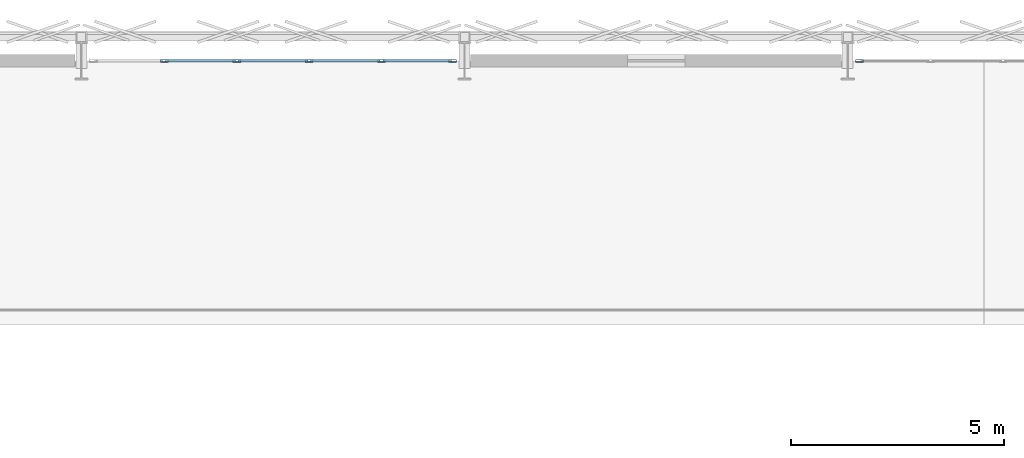
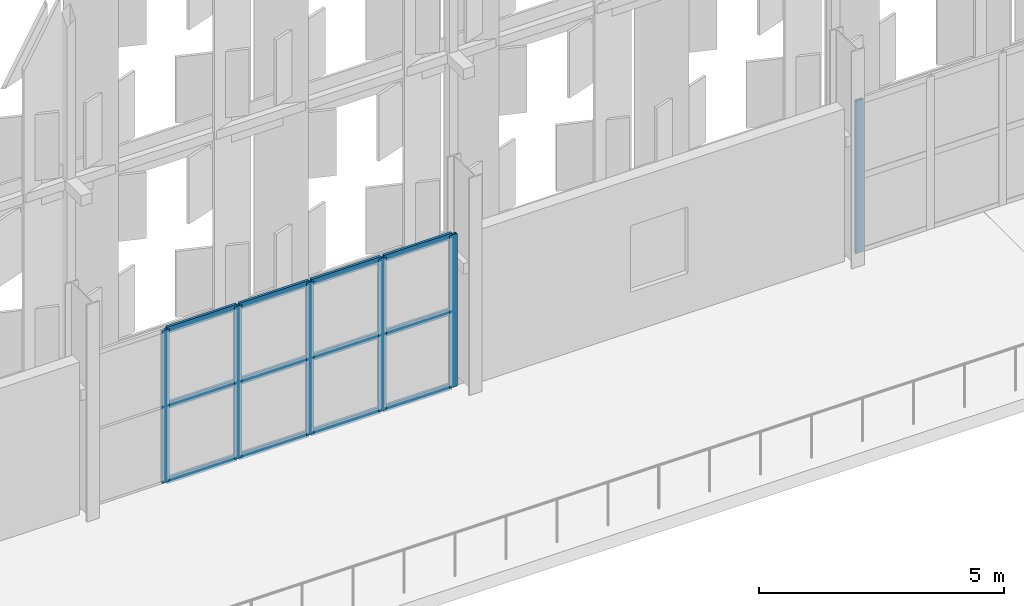
# One storey, part 84 of 210: 18 members, 2 elements without a shape of their own.
"""IFC4 building model written with IfcOpenShell, lengths in metres."""

from ifc_helpers import new_model, si_unit, direction, frame, origin, origin_2d, place, context, subcontext, project, spatial, hollow_rectangle, extrude, material, material_profile, profile_set, type_object, element, aggregate, save


model = new_model("IFC4")

# Units and contexts
model_context = context("Model", 3, precision=1e-05, world=origin(), true_north=direction((0.0, 1.0)))
body_context = subcontext(model_context, "Body", "Model", "MODEL_VIEW")
ifc_project = project(units=[si_unit("LENGTHUNIT", "METRE"), si_unit("AREAUNIT", "SQUARE_METRE"), si_unit("VOLUMEUNIT", "CUBIC_METRE"), si_unit("PLANEANGLEUNIT", "RADIAN"), si_unit("MASSUNIT", "GRAM", prefix="KILO")], contexts=[model_context])

# Site, building, storey
site_placement = place(None, origin())
site = spatial("IfcSite", under=ifc_project, at=site_placement, CompositionType="ELEMENT")
building_placement = place(site_placement, origin())
building = spatial("IfcBuilding", under=site, at=building_placement, Name="Kaldris Quays Convention Centre", CompositionType="ELEMENT")
storey_placement = place(building_placement, frame((0.0, 0.0, 6.0)))
storey = spatial("IfcBuildingStorey", under=building, at=storey_placement, Name="L01", CompositionType="ELEMENT", Elevation=6.0)

# Curtain wall, members
ifc_material_1 = material(Name="Anodized aluminium AW-6060 and triple glazing", Category="aluminium")
curtain_wall_type = type_object("IfcCurtainWallType", Name="UNITISED CURTAIN WALL CW05", PredefinedType="NOTDEFINED", material=ifc_material_1)
curtain_wall_1_placement = place(storey_placement, origin())
curtain_wall_1 = element("IfcCurtainWall", 1, at=curtain_wall_1_placement, inside=storey, type_object=curtain_wall_type, Name="L01 Unitised Curtain Wall CW05 8", PredefinedType="NOTDEFINED")
ifc_material_2 = material(Name="Anodized aluminium AW-6060", Category="aluminium")
ifc_material_profile_1 = material_profile(ifc_material_2, hollow_rectangle(XDim=0.06005859375, YDim=0.179931640625, WallThickness=0.0048828125, at=origin_2d()), Name="RHS 180x60x5")
ifc_profile_set_1 = profile_set([ifc_material_profile_1], Name="Anodized aluminium AW-6060")
member_type_1 = type_object("IfcMemberType", Name="CURTAIN MULLION CWM2", PredefinedType="MULLION", material=ifc_profile_set_1)
member_1_placement = place(storey_placement, frame((84.949951171875, 140.0, 0.0), z_axis=(0.0, 0.0, 1.0), x_axis=(0.0, 1.0, 0.0)))
member_1 = element("IfcMember", 2, at=member_1_placement, type_object=member_type_1, Name="CW05 mullion 2", PredefinedType="MULLION", context=body_context, shape_type="SweptSolid", body=[
    extrude(hollow_rectangle(XDim=0.06005859375, YDim=0.179931640625, WallThickness=0.0048828125, at=origin_2d()), origin(), (0.0, 0.0, 1.0), 3.800048828125),
])
member_2_placement = place(storey_placement, frame((86.64990234375, 140.0, 0.0), z_axis=(0.0, 0.0, 1.0), x_axis=(0.0, 1.0, 0.0)))
member_2 = element("IfcMember", 3, at=member_2_placement, type_object=member_type_1, Name="CW05 mullion 3", PredefinedType="MULLION", context=body_context, shape_type="SweptSolid", body=[
    extrude(hollow_rectangle(XDim=0.06005859375, YDim=0.179931640625, WallThickness=0.0048828125, at=origin_2d()), origin(), (0.0, 0.0, 1.0), 3.800048828125),
])
member_3_placement = place(storey_placement, frame((88.35009765625, 140.0, 0.0), z_axis=(0.0, 0.0, 1.0), x_axis=(0.0, 1.0, 0.0)))
member_3 = element("IfcMember", 4, at=member_3_placement, type_object=member_type_1, Name="CW05 mullion 4", PredefinedType="MULLION", context=body_context, shape_type="SweptSolid", body=[
    extrude(hollow_rectangle(XDim=0.06005859375, YDim=0.179931640625, WallThickness=0.0048828125, at=origin_2d()), origin(), (0.0, 0.0, 1.0), 3.800048828125),
])
member_4_placement = place(storey_placement, frame((90.050048828125, 140.0, 0.0), z_axis=(0.0, 0.0, 1.0), x_axis=(0.0, 1.0, 0.0)))
member_4 = element("IfcMember", 5, at=member_4_placement, type_object=member_type_1, Name="CW05 mullion 5", PredefinedType="MULLION", context=body_context, shape_type="SweptSolid", body=[
    extrude(hollow_rectangle(XDim=0.06005859375, YDim=0.179931640625, WallThickness=0.0048828125, at=origin_2d()), origin(), (0.0, 0.0, 1.0), 3.800048828125),
])
member_5_placement = place(storey_placement, frame((91.719970703125, 140.0, 0.0), z_axis=(0.0, 0.0, 1.0), x_axis=(0.0, 1.0, 0.0)))
member_5 = element("IfcMember", 6, at=member_5_placement, type_object=member_type_1, Name="CW05 mullion 6", PredefinedType="MULLION", context=body_context, shape_type="SweptSolid", body=[
    extrude(hollow_rectangle(XDim=0.06005859375, YDim=0.179931640625, WallThickness=0.0048828125, at=origin_2d()), origin(), (0.0, 0.0, 1.0), 3.800048828125),
])

# Curtain wall, member
curtain_wall_2_placement = place(storey_placement, origin())
curtain_wall_2 = element("IfcCurtainWall", 7, at=curtain_wall_2_placement, inside=storey, type_object=curtain_wall_type, Name="L01 Unitised Curtain Wall CW05 10", PredefinedType="NOTDEFINED")
member_6_placement = place(storey_placement, frame((101.280029296875, 140.0, 0.0), z_axis=(0.0, 0.0, 1.0), x_axis=(0.0, 1.0, 0.0)))
member_6 = element("IfcMember", 8, at=member_6_placement, type_object=member_type_1, Name="CW05 mullion 1", PredefinedType="MULLION", context=body_context, shape_type="SweptSolid", body=[
    extrude(hollow_rectangle(XDim=0.06005859375, YDim=0.179931640625, WallThickness=0.0048828125, at=origin_2d()), origin(), (0.0, 0.0, 1.0), 3.800048828125),
])
aggregate(curtain_wall_2, [member_6])

# Member
ifc_material_profile_2 = material_profile(ifc_material_2, hollow_rectangle(XDim=0.06005859375, YDim=0.159912109375, WallThickness=0.00390625, at=origin_2d()), Name="RHS 160x60x4")
ifc_profile_set_2 = profile_set([ifc_material_profile_2], Name="Anodized aluminium AW-6060")
member_type_2 = type_object("IfcMemberType", Name="CURTAIN TRANSOM CWT2", PredefinedType="USERDEFINED", material=ifc_profile_set_2)
member_7_placement = place(storey_placement, frame((84.97998046875, 140.0, 0.030029296875), z_axis=(1.0, 0.0, 0.0), x_axis=(0.0, 1.0, 0.0)))
member_7 = element("IfcMember", 9, at=member_7_placement, type_object=member_type_2, Name="CW05 transom 2.1", ObjectType="TRANSOM", PredefinedType="USERDEFINED", context=body_context, shape_type="SweptSolid", body=[
    extrude(hollow_rectangle(XDim=0.06005859375, YDim=0.159912109375, WallThickness=0.00390625, at=origin_2d()), origin(), (0.0, 0.0, 1.0), 1.64013671875),
])

member_8_placement = place(storey_placement, frame((84.97998046875, 140.0, 1.89990234375), z_axis=(1.0, 0.0, 0.0), x_axis=(0.0, 1.0, 0.0)))
member_8 = element("IfcMember", 10, at=member_8_placement, type_object=member_type_2, Name="CW05 transom 2.2", ObjectType="TRANSOM", PredefinedType="USERDEFINED", context=body_context, shape_type="SweptSolid", body=[
    extrude(hollow_rectangle(XDim=0.06005859375, YDim=0.159912109375, WallThickness=0.00390625, at=origin_2d()), origin(), (0.0, 0.0, 1.0), 1.64013671875),
])

member_9_placement = place(storey_placement, frame((84.97998046875, 140.0, 3.77001953125), z_axis=(1.0, 0.0, 0.0), x_axis=(0.0, 1.0, 0.0)))
member_9 = element("IfcMember", 11, at=member_9_placement, type_object=member_type_2, Name="CW05 transom 2.3", ObjectType="TRANSOM", PredefinedType="USERDEFINED", context=body_context, shape_type="SweptSolid", body=[
    extrude(hollow_rectangle(XDim=0.06005859375, YDim=0.159912109375, WallThickness=0.00390625, at=origin_2d()), origin(), (0.0, 0.0, 1.0), 1.64013671875),
])

member_10_placement = place(storey_placement, frame((86.679931640625, 140.0, 0.030029296875), z_axis=(1.0, 0.0, 0.0), x_axis=(0.0, 1.0, 0.0)))
member_10 = element("IfcMember", 12, at=member_10_placement, type_object=member_type_2, Name="CW05 transom 3.1", ObjectType="TRANSOM", PredefinedType="USERDEFINED", context=body_context, shape_type="SweptSolid", body=[
    extrude(hollow_rectangle(XDim=0.06005859375, YDim=0.159912109375, WallThickness=0.00390625, at=origin_2d()), origin(), (0.0, 0.0, 1.0), 1.64013671875),
])

member_11_placement = place(storey_placement, frame((86.679931640625, 140.0, 1.89990234375), z_axis=(1.0, 0.0, 0.0), x_axis=(0.0, 1.0, 0.0)))
member_11 = element("IfcMember", 13, at=member_11_placement, type_object=member_type_2, Name="CW05 transom 3.2", ObjectType="TRANSOM", PredefinedType="USERDEFINED", context=body_context, shape_type="SweptSolid", body=[
    extrude(hollow_rectangle(XDim=0.06005859375, YDim=0.159912109375, WallThickness=0.00390625, at=origin_2d()), origin(), (0.0, 0.0, 1.0), 1.64013671875),
])

member_12_placement = place(storey_placement, frame((86.679931640625, 140.0, 3.77001953125), z_axis=(1.0, 0.0, 0.0), x_axis=(0.0, 1.0, 0.0)))
member_12 = element("IfcMember", 14, at=member_12_placement, type_object=member_type_2, Name="CW05 transom 3.3", ObjectType="TRANSOM", PredefinedType="USERDEFINED", context=body_context, shape_type="SweptSolid", body=[
    extrude(hollow_rectangle(XDim=0.06005859375, YDim=0.159912109375, WallThickness=0.00390625, at=origin_2d()), origin(), (0.0, 0.0, 1.0), 1.64013671875),
])

member_13_placement = place(storey_placement, frame((88.3798828125, 140.0, 0.030029296875), z_axis=(1.0, 0.0, 0.0), x_axis=(0.0, 1.0, 0.0)))
member_13 = element("IfcMember", 15, at=member_13_placement, type_object=member_type_2, Name="CW05 transom 4.1", ObjectType="TRANSOM", PredefinedType="USERDEFINED", context=body_context, shape_type="SweptSolid", body=[
    extrude(hollow_rectangle(XDim=0.06005859375, YDim=0.159912109375, WallThickness=0.00390625, at=origin_2d()), origin(), (0.0, 0.0, 1.0), 1.64013671875),
])

member_14_placement = place(storey_placement, frame((88.3798828125, 140.0, 1.89990234375), z_axis=(1.0, 0.0, 0.0), x_axis=(0.0, 1.0, 0.0)))
member_14 = element("IfcMember", 16, at=member_14_placement, type_object=member_type_2, Name="CW05 transom 4.2", ObjectType="TRANSOM", PredefinedType="USERDEFINED", context=body_context, shape_type="SweptSolid", body=[
    extrude(hollow_rectangle(XDim=0.06005859375, YDim=0.159912109375, WallThickness=0.00390625, at=origin_2d()), origin(), (0.0, 0.0, 1.0), 1.64013671875),
])

member_15_placement = place(storey_placement, frame((88.3798828125, 140.0, 3.77001953125), z_axis=(1.0, 0.0, 0.0), x_axis=(0.0, 1.0, 0.0)))
member_15 = element("IfcMember", 17, at=member_15_placement, type_object=member_type_2, Name="CW05 transom 4.3", ObjectType="TRANSOM", PredefinedType="USERDEFINED", context=body_context, shape_type="SweptSolid", body=[
    extrude(hollow_rectangle(XDim=0.06005859375, YDim=0.159912109375, WallThickness=0.00390625, at=origin_2d()), origin(), (0.0, 0.0, 1.0), 1.64013671875),
])

member_16_placement = place(storey_placement, frame((90.080078125, 140.0, 0.030029296875), z_axis=(1.0, 0.0, 0.0), x_axis=(0.0, 1.0, 0.0)))
member_16 = element("IfcMember", 18, at=member_16_placement, type_object=member_type_2, Name="CW05 transom 5.1", ObjectType="TRANSOM", PredefinedType="USERDEFINED", context=body_context, shape_type="SweptSolid", body=[
    extrude(hollow_rectangle(XDim=0.06005859375, YDim=0.159912109375, WallThickness=0.00390625, at=origin_2d()), origin(), (0.0, 0.0, 1.0), 1.60986328125),
])

member_17_placement = place(storey_placement, frame((90.080078125, 140.0, 1.89990234375), z_axis=(1.0, 0.0, 0.0), x_axis=(0.0, 1.0, 0.0)))
member_17 = element("IfcMember", 19, at=member_17_placement, type_object=member_type_2, Name="CW05 transom 5.2", ObjectType="TRANSOM", PredefinedType="USERDEFINED", context=body_context, shape_type="SweptSolid", body=[
    extrude(hollow_rectangle(XDim=0.06005859375, YDim=0.159912109375, WallThickness=0.00390625, at=origin_2d()), origin(), (0.0, 0.0, 1.0), 1.60986328125),
])

member_18_placement = place(storey_placement, frame((90.080078125, 140.0, 3.77001953125), z_axis=(1.0, 0.0, 0.0), x_axis=(0.0, 1.0, 0.0)))
member_18 = element("IfcMember", 20, at=member_18_placement, type_object=member_type_2, Name="CW05 transom 5.3", ObjectType="TRANSOM", PredefinedType="USERDEFINED", context=body_context, shape_type="SweptSolid", body=[
    extrude(hollow_rectangle(XDim=0.06005859375, YDim=0.159912109375, WallThickness=0.00390625, at=origin_2d()), origin(), (0.0, 0.0, 1.0), 1.60986328125),
])

aggregate(curtain_wall_1, [member_1, member_2, member_3, member_4, member_5, member_7, member_8, member_9, member_10, member_11, member_12, member_13, member_14, member_15, member_16, member_17, member_18])

save(model, "model.ifc")
